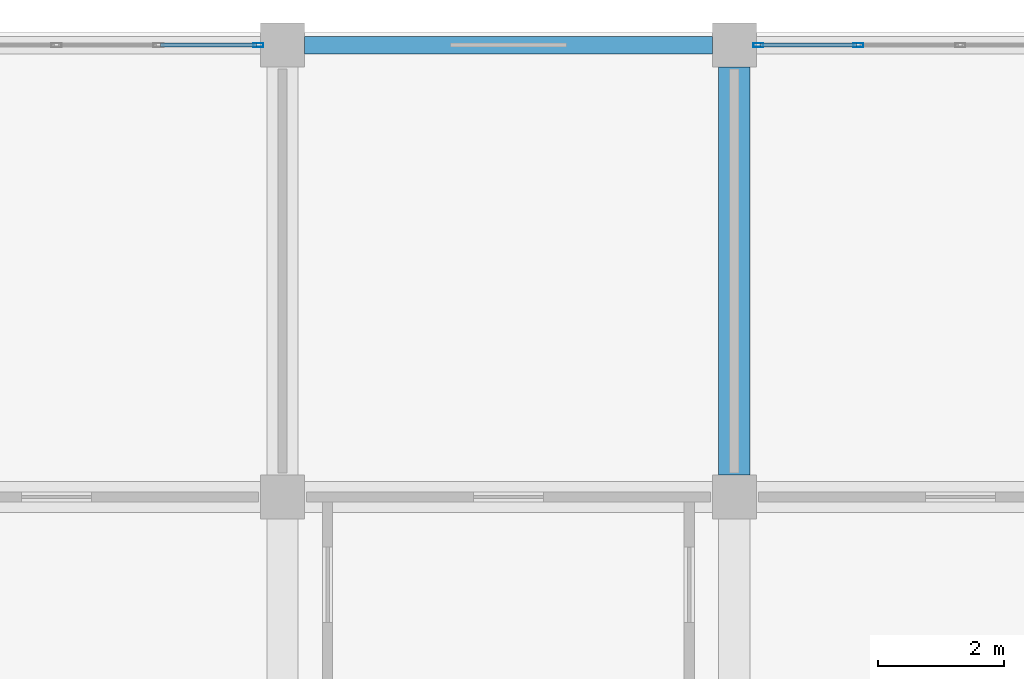
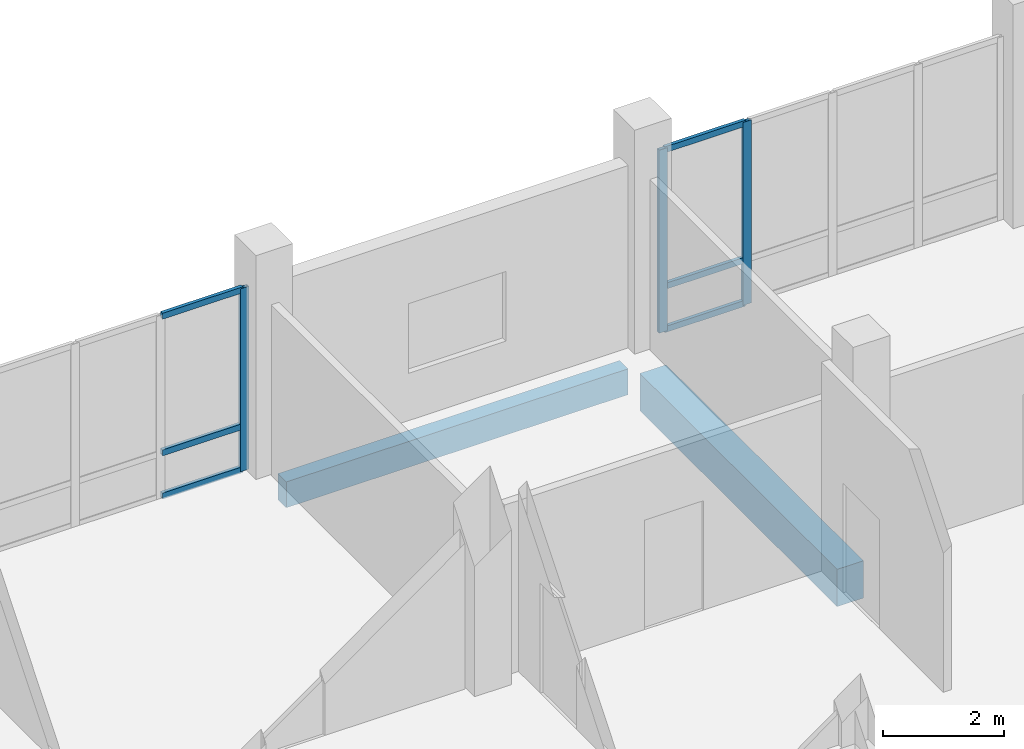
# One storey, part 95 of 139: 9 members, 2 beams, 2 elements without a shape of their own.
"""IFC4 building model written with IfcOpenShell, lengths in metres."""

from ifc_helpers import new_model, si_unit, direction, frame, origin, origin_2d, place, context, subcontext, project, spatial, rectangle, hollow_rectangle, extrude, material, material_profile, profile_set, type_object, element, aggregate, save


model = new_model("IFC4")

# Units and contexts
model_context = context("Model", 3, precision=1e-05, world=origin(), true_north=direction((0.0, 1.0)))
body_context = subcontext(model_context, "Body", "Model", "MODEL_VIEW")
ifc_project = project(units=[si_unit("LENGTHUNIT", "METRE"), si_unit("AREAUNIT", "SQUARE_METRE"), si_unit("VOLUMEUNIT", "CUBIC_METRE"), si_unit("PLANEANGLEUNIT", "RADIAN"), si_unit("MASSUNIT", "GRAM", prefix="KILO")], contexts=[model_context])

# Site, building, storey
site_placement = place(None, origin())
site = spatial("IfcSite", under=ifc_project, at=site_placement, CompositionType="ELEMENT")
building_placement = place(site_placement, origin())
building = spatial("IfcBuilding", under=site, at=building_placement, Name="Suanplinth Sawtooth Commons", CompositionType="ELEMENT")
storey_placement = place(building_placement, origin())
storey = spatial("IfcBuildingStorey", under=building, at=storey_placement, Name="L00", CompositionType="ELEMENT", Elevation=0.0)

# Beams
ifc_material_1 = material(Name="Concrete C40/50", Category="concrete")
ifc_material_profile_1 = material_profile(ifc_material_1, rectangle(XDim=0.5, YDim=0.75, at=origin_2d()), Name="RC-GDR 500x750")
ifc_profile_set_1 = profile_set([ifc_material_profile_1], Name="Concrete C40/50")
beam_type_1 = type_object("IfcBeamType", Name="B-03", PredefinedType="USERDEFINED", material=ifc_profile_set_1)
beam_1_placement = place(storey_placement, frame((151.199951171875, 115.550048828125, -0.794921875), z_axis=(0.0, 1.0, 0.0), x_axis=(-1.0, 0.0, 0.0)))
element("IfcBeam", 1, at=beam_1_placement, inside=storey, type_object=beam_type_1, Name="BMY-L00-B-21-16", ObjectType="GIRDER", PredefinedType="USERDEFINED", context=body_context, shape_type="SweptSolid", body=[
    extrude(rectangle(XDim=0.5, YDim=0.75, at=origin_2d()), origin(), (0.0, 0.0, 1.0), 6.5),
])
ifc_material_2 = material(Name="Precast concrete C40/50", Category="concrete")
ifc_material_profile_2 = material_profile(ifc_material_2, rectangle(XDim=0.280029296875, YDim=0.52001953125, at=origin_2d()), Name="PC-SP 280x520")
ifc_profile_set_2 = profile_set([ifc_material_profile_2], Name="Precast concrete C40/50")
beam_type_2 = type_object("IfcBeamType", Name="B-08", PredefinedType="SPANDREL", material=ifc_profile_set_2)
beam_2_placement = place(storey_placement, frame((144.35009765625, 122.39990234375, -0.679931640625), z_axis=(1.0, 0.0, 0.0), x_axis=(0.0, 1.0, 0.0)))
element("IfcBeam", 2, at=beam_2_placement, inside=storey, type_object=beam_type_2, Name="BMX-L00-B-20-17", PredefinedType="SPANDREL", context=body_context, shape_type="SweptSolid", body=[
    extrude(rectangle(XDim=0.280029296875, YDim=0.52001953125, at=origin_2d()), origin(), (0.0, 0.0, 1.0), 6.5),
])

# Curtain wall, member
ifc_material_3 = material(Name="Anodized aluminium and low-E glazing", Category="aluminium")
curtain_wall_type = type_object("IfcCurtainWallType", Name="CW-04", PredefinedType="USERDEFINED", material=ifc_material_3)
curtain_wall_1_placement = place(storey_placement, origin())
curtain_wall_1 = element("IfcCurtainWall", 3, at=curtain_wall_1_placement, inside=storey, type_object=curtain_wall_type, Name="Curtain Wall CW-L00-B-N-19", ObjectType="CURTAIN WALL", PredefinedType="USERDEFINED")
ifc_material_4 = material(Name="Anodized aluminium 6063-T6", Category="aluminium")
ifc_material_profile_3 = material_profile(ifc_material_4, hollow_rectangle(XDim=0.06494140625, YDim=0.159912109375, WallThickness=0.00390625, at=origin_2d()), Name="ALU-MUL 65x160")
ifc_profile_set_3 = profile_set([ifc_material_profile_3], Name="Anodized aluminium 6063-T6")
member_type_1 = type_object("IfcMemberType", Name="M-13", PredefinedType="MULLION", material=ifc_profile_set_3)
member_1_placement = place(storey_placement, frame((143.617431640625, 122.39990234375, 0.0), z_axis=(0.0, 0.0, 1.0), x_axis=(0.0, 1.0, 0.0)))
member_1 = element("IfcMember", 4, at=member_1_placement, type_object=member_type_1, Name="CW-04 mullion 5", PredefinedType="MULLION", context=body_context, shape_type="SweptSolid", body=[
    extrude(hollow_rectangle(XDim=0.06494140625, YDim=0.159912109375, WallThickness=0.00390625, at=origin_2d()), origin(), (0.0, 0.0, 1.0), 3.679931640625),
])

# Curtain wall, members
curtain_wall_2_placement = place(storey_placement, origin())
curtain_wall_2 = element("IfcCurtainWall", 5, at=curtain_wall_2_placement, inside=storey, type_object=curtain_wall_type, Name="Curtain Wall CW-L00-B-N-21", ObjectType="CURTAIN WALL", PredefinedType="USERDEFINED")
member_2_placement = place(storey_placement, frame((151.58251953125, 122.39990234375, 0.0), z_axis=(0.0, 0.0, 1.0), x_axis=(0.0, 1.0, 0.0)))
member_2 = element("IfcMember", 6, at=member_2_placement, type_object=member_type_1, Name="CW-04 mullion 1", PredefinedType="MULLION", context=body_context, shape_type="SweptSolid", body=[
    extrude(hollow_rectangle(XDim=0.06494140625, YDim=0.159912109375, WallThickness=0.00390625, at=origin_2d()), origin(), (0.0, 0.0, 1.0), 3.679931640625),
])
member_3_placement = place(storey_placement, frame((153.175048828125, 122.39990234375, 0.0), z_axis=(0.0, 0.0, 1.0), x_axis=(0.0, 1.0, 0.0)))
member_3 = element("IfcMember", 7, at=member_3_placement, type_object=member_type_1, Name="CW-04 mullion 2", PredefinedType="MULLION", context=body_context, shape_type="SweptSolid", body=[
    extrude(hollow_rectangle(XDim=0.06494140625, YDim=0.159912109375, WallThickness=0.00390625, at=origin_2d()), origin(), (0.0, 0.0, 1.0), 3.679931640625),
])

# Member
ifc_material_profile_4 = material_profile(ifc_material_4, hollow_rectangle(XDim=0.06494140625, YDim=0.1201171875, WallThickness=0.00390625, at=origin_2d()), Name="ALU-TRN 65x120")
ifc_profile_set_4 = profile_set([ifc_material_profile_4], Name="Anodized aluminium 6063-T6")
member_type_2 = type_object("IfcMemberType", Name="M-15", PredefinedType="USERDEFINED", material=ifc_profile_set_4)
member_4_placement = place(storey_placement, frame((142.0576171875, 122.39990234375, 0.032470703125), z_axis=(1.0, 0.0, 0.0), x_axis=(0.0, 1.0, 0.0)))
member_4 = element("IfcMember", 8, at=member_4_placement, type_object=member_type_2, Name="CW-04 transom 4.1", ObjectType="TRANSOM", PredefinedType="USERDEFINED", context=body_context, shape_type="SweptSolid", body=[
    extrude(hollow_rectangle(XDim=0.06494140625, YDim=0.1201171875, WallThickness=0.00390625, at=origin_2d()), origin(), (0.0, 0.0, 1.0), 1.52734375),
])

member_5_placement = place(storey_placement, frame((142.0576171875, 122.39990234375, 0.89990234375), z_axis=(1.0, 0.0, 0.0), x_axis=(0.0, 1.0, 0.0)))
member_5 = element("IfcMember", 9, at=member_5_placement, type_object=member_type_2, Name="CW-04 transom 4.2", ObjectType="TRANSOM", PredefinedType="USERDEFINED", context=body_context, shape_type="SweptSolid", body=[
    extrude(hollow_rectangle(XDim=0.06494140625, YDim=0.1201171875, WallThickness=0.00390625, at=origin_2d()), origin(), (0.0, 0.0, 1.0), 1.52734375),
])

member_6_placement = place(storey_placement, frame((142.0576171875, 122.39990234375, 3.6474609375), z_axis=(1.0, 0.0, 0.0), x_axis=(0.0, 1.0, 0.0)))
member_6 = element("IfcMember", 10, at=member_6_placement, type_object=member_type_2, Name="CW-04 transom 4.3", ObjectType="TRANSOM", PredefinedType="USERDEFINED", context=body_context, shape_type="SweptSolid", body=[
    extrude(hollow_rectangle(XDim=0.06494140625, YDim=0.1201171875, WallThickness=0.00390625, at=origin_2d()), origin(), (0.0, 0.0, 1.0), 1.52734375),
])

aggregate(curtain_wall_1, [member_1, member_4, member_5, member_6])

member_7_placement = place(storey_placement, frame((151.614990234375, 122.39990234375, 0.032470703125), z_axis=(1.0, 0.0, 0.0), x_axis=(0.0, 1.0, 0.0)))
member_7 = element("IfcMember", 11, at=member_7_placement, type_object=member_type_2, Name="CW-04 transom 1.1", ObjectType="TRANSOM", PredefinedType="USERDEFINED", context=body_context, shape_type="SweptSolid", body=[
    extrude(hollow_rectangle(XDim=0.06494140625, YDim=0.1201171875, WallThickness=0.00390625, at=origin_2d()), origin(), (0.0, 0.0, 1.0), 1.527587890625),
])

member_8_placement = place(storey_placement, frame((151.614990234375, 122.39990234375, 0.89990234375), z_axis=(1.0, 0.0, 0.0), x_axis=(0.0, 1.0, 0.0)))
member_8 = element("IfcMember", 12, at=member_8_placement, type_object=member_type_2, Name="CW-04 transom 1.2", ObjectType="TRANSOM", PredefinedType="USERDEFINED", context=body_context, shape_type="SweptSolid", body=[
    extrude(hollow_rectangle(XDim=0.06494140625, YDim=0.1201171875, WallThickness=0.00390625, at=origin_2d()), origin(), (0.0, 0.0, 1.0), 1.527587890625),
])

member_9_placement = place(storey_placement, frame((151.614990234375, 122.39990234375, 3.6474609375), z_axis=(1.0, 0.0, 0.0), x_axis=(0.0, 1.0, 0.0)))
member_9 = element("IfcMember", 13, at=member_9_placement, type_object=member_type_2, Name="CW-04 transom 1.3", ObjectType="TRANSOM", PredefinedType="USERDEFINED", context=body_context, shape_type="SweptSolid", body=[
    extrude(hollow_rectangle(XDim=0.06494140625, YDim=0.1201171875, WallThickness=0.00390625, at=origin_2d()), origin(), (0.0, 0.0, 1.0), 1.527587890625),
])

aggregate(curtain_wall_2, [member_2, member_3, member_7, member_8, member_9])

save(model, "model.ifc")
